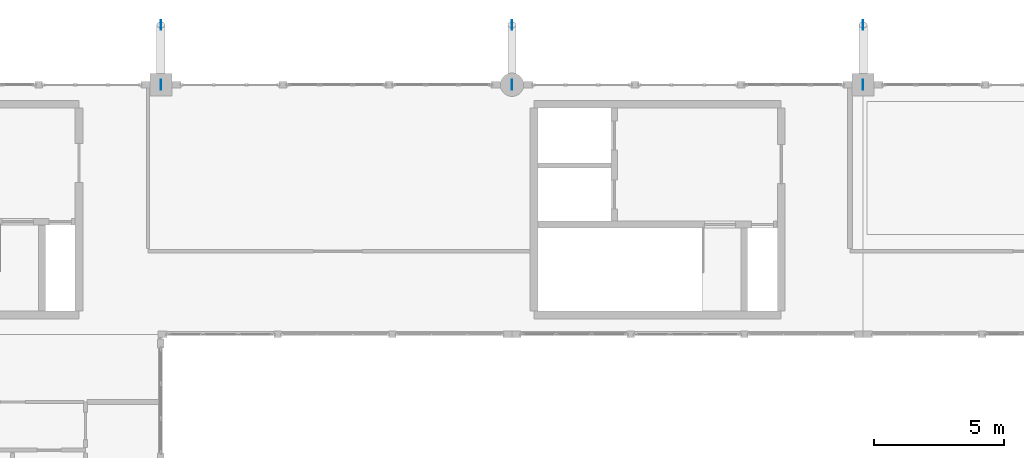
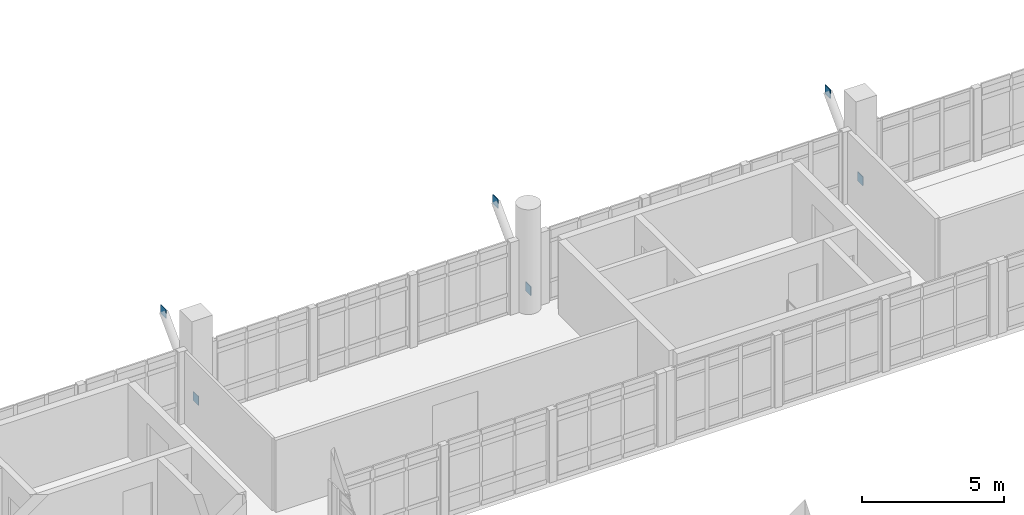
# One storey, part 31 of 37: 6 plates.
"""IFC4 building model written with IfcOpenShell, lengths in metres."""

from ifc_helpers import new_model, si_unit, direction, frame, origin, origin_2d, place, context, subcontext, project, spatial, rectangle, extrude, material, layer, layer_set, type_object, element, save


model = new_model("IFC4")

# Units and contexts
model_context = context("Model", 3, precision=1e-05, world=origin(), true_north=direction((0.0, 1.0)))
body_context = subcontext(model_context, "Body", "Model", "MODEL_VIEW")
ifc_project = project(units=[si_unit("LENGTHUNIT", "METRE"), si_unit("AREAUNIT", "SQUARE_METRE"), si_unit("VOLUMEUNIT", "CUBIC_METRE"), si_unit("PLANEANGLEUNIT", "RADIAN"), si_unit("MASSUNIT", "GRAM", prefix="KILO")], contexts=[model_context])

# Site, building, storey
site_placement = place(None, origin())
site = spatial("IfcSite", under=ifc_project, at=site_placement, CompositionType="ELEMENT")
building_placement = place(site_placement, origin())
building = spatial("IfcBuilding", under=site, at=building_placement, Name="Fikremerkos Civic Library", CompositionType="ELEMENT")
storey_placement = place(building_placement, frame((0.0, 0.0, 23.39990234375)))
storey = spatial("IfcBuildingStorey", under=building, at=storey_placement, Name="L05", CompositionType="ELEMENT", Elevation=23.39990234375)

# Plates
ifc_material = material(Name="Steel S355", Category="steel")
ifc_layer = layer(ifc_material, 0.02490234375, Name="Steel S355")
ifc_layer_set = layer_set([ifc_layer], Name="Steel S355")
plate_type = type_object("IfcPlateType", Name="Steel gusset cap plate GSP-02 380x380x25", PredefinedType="USERDEFINED", material=ifc_layer_set)
for number, where, z_axis, x_axis, name in (
    (1, (32.699951171875, 31.199951171875, 0.610107421875), (0.0, 0.0, 1.0), (1.0, 0.0, 0.0), "Steel gusset cap plate GSP-02 #5"),
    (2, (32.699951171875, 33.5, 2.960205078125), (0.0, 0.0, 1.0), (1.0, 0.0, 0.0), "Steel gusset cap plate GSP-02 #6"),
    (3, (46.199951171875, 31.199951171875, 0.610107421875), (0.0, 0.0, 1.0), (1.0, 0.0, 0.0), "Steel gusset cap plate GSP-02 #11"),
    (4, (46.199951171875, 33.5, 2.960205078125), (0.0, 0.0, 1.0), (1.0, 0.0, 0.0), "Steel gusset cap plate GSP-02 #12"),
    (5, (59.699951171875, 31.199951171875, 0.610107421875), (0.0, 0.0, 1.0), (1.0, 0.0, 0.0), "Steel gusset cap plate GSP-02 #17"),
    (6, (59.699951171875, 33.5, 2.960205078125), (0.0, 0.0, 1.0), (1.0, 0.0, 0.0), "Steel gusset cap plate GSP-02 #18"),
):
    element("IfcPlate", number, at=place(storey_placement, frame(where, z_axis=z_axis, x_axis=x_axis)), inside=storey, type_object=plate_type, Name=name, ObjectType="GUSSET PLATE", PredefinedType="USERDEFINED", context=body_context, shape_type="SweptSolid", body=[
        extrude(rectangle(XDim=0.02490234375, YDim=0.3798828125, at=origin_2d()), origin(), (0.0, 0.0, 1.0), 0.3798828125),
    ])

save(model, "model.ifc")
